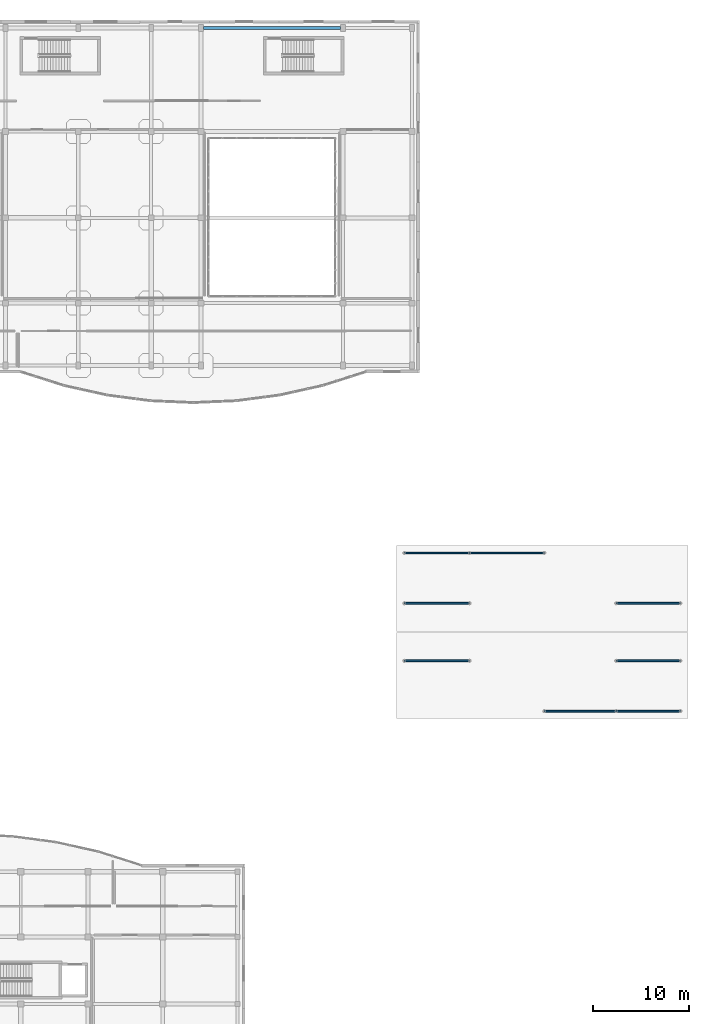
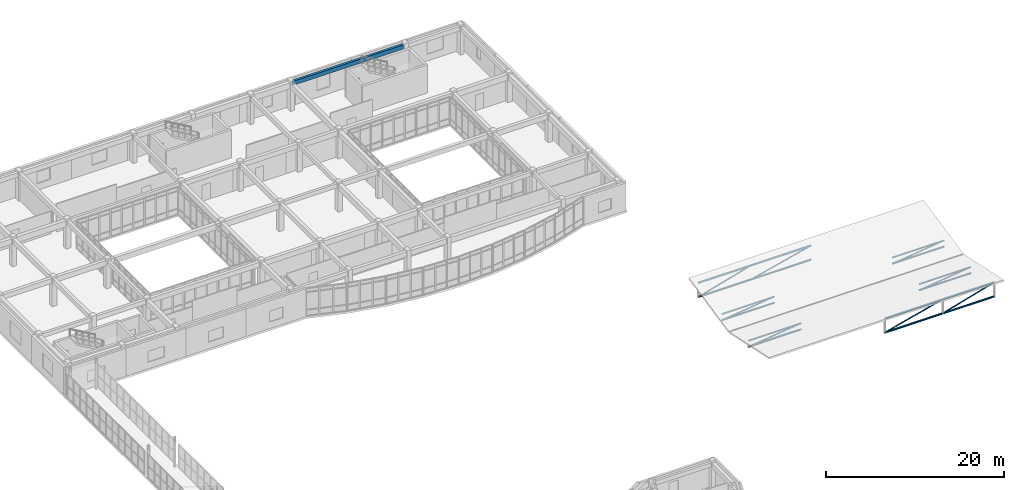
# One storey, part 108 of 146: 24 members, 1 beam.
"""IFC4 building model written with IfcOpenShell, lengths in metres."""

from ifc_helpers import new_model, si_unit, direction, frame, origin, origin_2d, place, context, subcontext, project, spatial, rectangle, hollow_rectangle, hollow_circle, extrude, material, material_profile, profile_set, type_object, element, save


model = new_model("IFC4")

# Units and contexts
model_context = context("Model", 3, precision=1e-05, world=origin(), true_north=direction((0.0, 1.0)))
body_context = subcontext(model_context, "Body", "Model", "MODEL_VIEW")
ifc_project = project(units=[si_unit("LENGTHUNIT", "METRE"), si_unit("AREAUNIT", "SQUARE_METRE"), si_unit("VOLUMEUNIT", "CUBIC_METRE"), si_unit("PLANEANGLEUNIT", "RADIAN"), si_unit("MASSUNIT", "GRAM", prefix="KILO")], contexts=[model_context])

# Site, building, storey
site_placement = place(None, origin())
site = spatial("IfcSite", under=ifc_project, at=site_placement, CompositionType="ELEMENT")
building_placement = place(site_placement, origin())
building = spatial("IfcBuilding", under=site, at=building_placement, Name="Valcora Specialist Clinic", CompositionType="ELEMENT")
storey_placement = place(building_placement, frame((0.0, 0.0, 9.52001953125)))
storey = spatial("IfcBuildingStorey", under=building, at=storey_placement, Name="L02", CompositionType="ELEMENT", Elevation=9.52001953125)

# Beam
ifc_material_1 = material(Name="Concrete C40/50", Category="concrete")
ifc_material_profile_1 = material_profile(ifc_material_1, rectangle(XDim=0.300048828125, YDim=0.550048828125, at=origin_2d()), Name="RC-BM-300X550")
ifc_profile_set_1 = profile_set([ifc_material_profile_1], Name="Concrete C40/50")
beam_type = type_object("IfcBeamType", Name="TY-BM-RC300X550", PredefinedType="BEAM", material=ifc_profile_set_1)
beam_placement = place(storey_placement, frame((111.449951171875, 110.0, 3.544921875), z_axis=(1.0, 0.0, 0.0), x_axis=(0.0, 1.0, 0.0)))
element("IfcBeam", 1, at=beam_placement, inside=storey, type_object=beam_type, Name="Beam BM-L02-0733", PredefinedType="BEAM", context=body_context, shape_type="SweptSolid", body=[
    extrude(rectangle(XDim=0.300048828125, YDim=0.550048828125, at=origin_2d()), origin(), (0.0, 0.0, 1.0), 14.300048828125),
])

# Members
ifc_material_2 = material(Name="Steel ASTM A500 Grade C", Category="steel")
ifc_material_profile_2 = material_profile(ifc_material_2, hollow_circle(Radius=0.1220703125, WallThickness=0.010009765625, at=origin_2d()), Name="ST-CHS-244X10")
ifc_profile_set_2 = profile_set([ifc_material_profile_2], Name="Steel ASTM A500 Grade C")
member_type_1 = type_object("IfcMemberType", Name="TY-MB-GSC244", PredefinedType="CHORD", material=ifc_profile_set_2)
member_1_placement = place(storey_placement, frame((147.0, 38.75, 0.080078125), z_axis=(1.0, 0.0, 0.0), x_axis=(0.0, 1.0, 0.0)))
element("IfcMember", 2, at=member_1_placement, inside=storey, type_object=member_type_1, Name="Butterfly roof tie chord MB-L02-0762", PredefinedType="CHORD", context=body_context, shape_type="SweptSolid", body=[
    extrude(hollow_circle(Radius=0.1220703125, WallThickness=0.010009765625, at=origin_2d()), origin(), (0.0, 0.0, 1.0), 7.5),
])
member_2_placement = place(storey_placement, frame((154.5, 38.75, 0.080078125), z_axis=(1.0, 0.0, 0.0), x_axis=(0.0, 1.0, 0.0)))
element("IfcMember", 3, at=member_2_placement, inside=storey, type_object=member_type_1, Name="Butterfly roof tie chord MB-L02-0765", PredefinedType="CHORD", context=body_context, shape_type="SweptSolid", body=[
    extrude(hollow_circle(Radius=0.1220703125, WallThickness=0.010009765625, at=origin_2d()), origin(), (0.0, 0.0, 1.0), 6.699951171875),
])
member_3_placement = place(storey_placement, frame((132.39990234375, 44.0, 0.080078125), z_axis=(1.0, 0.0, 0.0), x_axis=(0.0, 1.0, 0.0)))
element("IfcMember", 4, at=member_3_placement, inside=storey, type_object=member_type_1, Name="Butterfly roof tie chord MB-L02-0768", PredefinedType="CHORD", context=body_context, shape_type="SweptSolid", body=[
    extrude(hollow_circle(Radius=0.1220703125, WallThickness=0.010009765625, at=origin_2d()), origin(), (0.0, 0.0, 1.0), 6.800048828125),
])
member_4_placement = place(storey_placement, frame((154.5, 44.0, 0.080078125), z_axis=(1.0, 0.0, 0.0), x_axis=(0.0, 1.0, 0.0)))
element("IfcMember", 5, at=member_4_placement, inside=storey, type_object=member_type_1, Name="Butterfly roof tie chord MB-L02-0771", PredefinedType="CHORD", context=body_context, shape_type="SweptSolid", body=[
    extrude(hollow_circle(Radius=0.1220703125, WallThickness=0.010009765625, at=origin_2d()), origin(), (0.0, 0.0, 1.0), 6.699951171875),
])
member_5_placement = place(storey_placement, frame((132.39990234375, 50.0, 0.080078125), z_axis=(1.0, 0.0, 0.0), x_axis=(0.0, 1.0, 0.0)))
element("IfcMember", 6, at=member_5_placement, inside=storey, type_object=member_type_1, Name="Butterfly roof tie chord MB-L02-0774", PredefinedType="CHORD", context=body_context, shape_type="SweptSolid", body=[
    extrude(hollow_circle(Radius=0.1220703125, WallThickness=0.010009765625, at=origin_2d()), origin(), (0.0, 0.0, 1.0), 6.800048828125),
])
member_6_placement = place(storey_placement, frame((154.5, 50.0, 0.080078125), z_axis=(1.0, 0.0, 0.0), x_axis=(0.0, 1.0, 0.0)))
element("IfcMember", 7, at=member_6_placement, inside=storey, type_object=member_type_1, Name="Butterfly roof tie chord MB-L02-0777", PredefinedType="CHORD", context=body_context, shape_type="SweptSolid", body=[
    extrude(hollow_circle(Radius=0.1220703125, WallThickness=0.010009765625, at=origin_2d()), origin(), (0.0, 0.0, 1.0), 6.699951171875),
])
member_7_placement = place(storey_placement, frame((132.39990234375, 55.25, 0.080078125), z_axis=(1.0, 0.0, 0.0), x_axis=(0.0, 1.0, 0.0)))
element("IfcMember", 8, at=member_7_placement, inside=storey, type_object=member_type_1, Name="Butterfly roof tie chord MB-L02-0780", PredefinedType="CHORD", context=body_context, shape_type="SweptSolid", body=[
    extrude(hollow_circle(Radius=0.1220703125, WallThickness=0.010009765625, at=origin_2d()), origin(), (0.0, 0.0, 1.0), 6.800048828125),
])
member_8_placement = place(storey_placement, frame((139.199951171875, 55.25, 0.080078125), z_axis=(1.0, 0.0, 0.0), x_axis=(0.0, 1.0, 0.0)))
element("IfcMember", 9, at=member_8_placement, inside=storey, type_object=member_type_1, Name="Butterfly roof tie chord MB-L02-0783", PredefinedType="CHORD", context=body_context, shape_type="SweptSolid", body=[
    extrude(hollow_circle(Radius=0.1220703125, WallThickness=0.010009765625, at=origin_2d()), origin(), (0.0, 0.0, 1.0), 7.800048828125),
])
ifc_material_profile_3 = material_profile(ifc_material_2, hollow_circle(Radius=0.083984375, WallThickness=0.008056640625, at=origin_2d()), Name="ST-CHS-168X8")
ifc_profile_set_3 = profile_set([ifc_material_profile_3], Name="Steel ASTM A500 Grade C")
member_type_2 = type_object("IfcMemberType", Name="TY-MB-GSD168", PredefinedType="BRACE", material=ifc_profile_set_3)
member_9_placement = place(storey_placement, frame((147.0, 38.75, 0.080078125), z_axis=(0.968594972907, 0.0, 0.248643878787), x_axis=(0.0, 1.0, 0.0)))
element("IfcMember", 10, at=member_9_placement, inside=storey, type_object=member_type_2, Name="Butterfly roof truss web MB-L02-0763", PredefinedType="BRACE", context=body_context, shape_type="SweptSolid", body=[
    extrude(hollow_circle(Radius=0.083984375, WallThickness=0.008056640625, at=origin_2d()), origin(), (0.0, 0.0, 1.0), 7.7431640625),
])
member_10_placement = place(storey_placement, frame((154.5, 38.75, 0.080078125), z_axis=(0.961105217361, 0.0, 0.276182478013), x_axis=(0.0, 1.0, 0.0)))
element("IfcMember", 11, at=member_10_placement, inside=storey, type_object=member_type_2, Name="Butterfly roof truss web MB-L02-0766", PredefinedType="BRACE", context=body_context, shape_type="SweptSolid", body=[
    extrude(hollow_circle(Radius=0.083984375, WallThickness=0.008056640625, at=origin_2d()), origin(), (0.0, 0.0, 1.0), 6.97119140625),
])
member_11_placement = place(storey_placement, frame((132.39990234375, 44.0, 0.080078125), z_axis=(0.992674574509, 0.0, 0.120818827688), x_axis=(0.0, 1.0, 0.0)))
element("IfcMember", 12, at=member_11_placement, inside=storey, type_object=member_type_2, Name="Butterfly roof truss web MB-L02-0769", PredefinedType="BRACE", context=body_context, shape_type="SweptSolid", body=[
    extrude(hollow_circle(Radius=0.083984375, WallThickness=0.008056640625, at=origin_2d()), origin(), (0.0, 0.0, 1.0), 6.850341796875),
])
member_12_placement = place(storey_placement, frame((154.5, 44.0, 0.080078125), z_axis=(0.992456543914, 0.0, 0.122596934878), x_axis=(0.0, 1.0, 0.0)))
element("IfcMember", 13, at=member_12_placement, inside=storey, type_object=member_type_2, Name="Butterfly roof truss web MB-L02-0772", PredefinedType="BRACE", context=body_context, shape_type="SweptSolid", body=[
    extrude(hollow_circle(Radius=0.083984375, WallThickness=0.008056640625, at=origin_2d()), origin(), (0.0, 0.0, 1.0), 6.7509765625),
])
member_13_placement = place(storey_placement, frame((132.39990234375, 50.0, 0.080078125), z_axis=(0.992674574509, 0.0, 0.120818827688), x_axis=(0.0, 1.0, 0.0)))
element("IfcMember", 14, at=member_13_placement, inside=storey, type_object=member_type_2, Name="Butterfly roof truss web MB-L02-0775", PredefinedType="BRACE", context=body_context, shape_type="SweptSolid", body=[
    extrude(hollow_circle(Radius=0.083984375, WallThickness=0.008056640625, at=origin_2d()), origin(), (0.0, 0.0, 1.0), 6.850341796875),
])
member_14_placement = place(storey_placement, frame((154.5, 50.0, 0.080078125), z_axis=(0.992456543914, 0.0, 0.122596934878), x_axis=(0.0, 1.0, 0.0)))
element("IfcMember", 15, at=member_14_placement, inside=storey, type_object=member_type_2, Name="Butterfly roof truss web MB-L02-0778", PredefinedType="BRACE", context=body_context, shape_type="SweptSolid", body=[
    extrude(hollow_circle(Radius=0.083984375, WallThickness=0.008056640625, at=origin_2d()), origin(), (0.0, 0.0, 1.0), 6.7509765625),
])
member_15_placement = place(storey_placement, frame((132.39990234375, 55.25, 0.080078125), z_axis=(0.962178202233, 0.0, 0.272420827301), x_axis=(0.0, 1.0, 0.0)))
element("IfcMember", 16, at=member_15_placement, inside=storey, type_object=member_type_2, Name="Butterfly roof truss web MB-L02-0781", PredefinedType="BRACE", context=body_context, shape_type="SweptSolid", body=[
    extrude(hollow_circle(Radius=0.083984375, WallThickness=0.008056640625, at=origin_2d()), origin(), (0.0, 0.0, 1.0), 7.0673828125),
])
member_16_placement = place(storey_placement, frame((139.199951171875, 55.25, 0.080078125), z_axis=(0.970862124674, 0.0, 0.239638759122), x_axis=(0.0, 1.0, 0.0)))
element("IfcMember", 17, at=member_16_placement, inside=storey, type_object=member_type_2, Name="Butterfly roof truss web MB-L02-0784", PredefinedType="BRACE", context=body_context, shape_type="SweptSolid", body=[
    extrude(hollow_circle(Radius=0.083984375, WallThickness=0.008056640625, at=origin_2d()), origin(), (0.0, 0.0, 1.0), 8.0341796875),
])
ifc_material_profile_4 = material_profile(ifc_material_2, hollow_rectangle(XDim=0.14990234375, YDim=0.14990234375, WallThickness=0.006103515625, at=origin_2d()), Name="ST-RHS-150X150X6")
ifc_profile_set_4 = profile_set([ifc_material_profile_4], Name="Steel ASTM A500 Grade C")
member_type_3 = type_object("IfcMemberType", Name="TY-MB-PR150", PredefinedType="PURLIN", material=ifc_profile_set_4)
member_17_placement = place(storey_placement, frame((132.39990234375, 44.0, 0.90771484375), z_axis=(1.0, 0.0, 0.0), x_axis=(0.0, 1.0, 0.0)))
element("IfcMember", 18, at=member_17_placement, inside=storey, type_object=member_type_3, Name="Butterfly roof purlin MB-L02-0767", PredefinedType="PURLIN", context=body_context, shape_type="SweptSolid", body=[
    extrude(hollow_rectangle(XDim=0.14990234375, YDim=0.14990234375, WallThickness=0.006103515625, at=origin_2d()), origin(), (0.0, 0.0, 1.0), 6.800048828125),
])
member_18_placement = place(storey_placement, frame((154.5, 44.0, 0.90771484375), z_axis=(1.0, 0.0, 0.0), x_axis=(0.0, 1.0, 0.0)))
element("IfcMember", 19, at=member_18_placement, inside=storey, type_object=member_type_3, Name="Butterfly roof purlin MB-L02-0770", PredefinedType="PURLIN", context=body_context, shape_type="SweptSolid", body=[
    extrude(hollow_rectangle(XDim=0.14990234375, YDim=0.14990234375, WallThickness=0.006103515625, at=origin_2d()), origin(), (0.0, 0.0, 1.0), 6.699951171875),
])
member_19_placement = place(storey_placement, frame((132.39990234375, 50.0, 0.90771484375), z_axis=(1.0, 0.0, 0.0), x_axis=(0.0, 1.0, 0.0)))
element("IfcMember", 20, at=member_19_placement, inside=storey, type_object=member_type_3, Name="Butterfly roof purlin MB-L02-0773", PredefinedType="PURLIN", context=body_context, shape_type="SweptSolid", body=[
    extrude(hollow_rectangle(XDim=0.14990234375, YDim=0.14990234375, WallThickness=0.006103515625, at=origin_2d()), origin(), (0.0, 0.0, 1.0), 6.800048828125),
])
member_20_placement = place(storey_placement, frame((154.5, 50.0, 0.90771484375), z_axis=(1.0, 0.0, 0.0), x_axis=(0.0, 1.0, 0.0)))
element("IfcMember", 21, at=member_20_placement, inside=storey, type_object=member_type_3, Name="Butterfly roof purlin MB-L02-0776", PredefinedType="PURLIN", context=body_context, shape_type="SweptSolid", body=[
    extrude(hollow_rectangle(XDim=0.14990234375, YDim=0.14990234375, WallThickness=0.006103515625, at=origin_2d()), origin(), (0.0, 0.0, 1.0), 6.699951171875),
])
ifc_material_profile_5 = material_profile(ifc_material_2, hollow_rectangle(XDim=0.179931640625, YDim=0.179931640625, WallThickness=0.008056640625, at=origin_2d()), Name="ST-RHS-180X180X8")
ifc_profile_set_5 = profile_set([ifc_material_profile_5], Name="Steel ASTM A500 Grade C")
member_type_4 = type_object("IfcMemberType", Name="TY-MB-PR180", PredefinedType="PURLIN", material=ifc_profile_set_5)
member_21_placement = place(storey_placement, frame((147.0, 38.75, 2.00537109375), z_axis=(1.0, 0.0, 0.0), x_axis=(0.0, 1.0, 0.0)))
element("IfcMember", 22, at=member_21_placement, inside=storey, type_object=member_type_4, Name="Butterfly roof purlin MB-L02-0761", PredefinedType="PURLIN", context=body_context, shape_type="SweptSolid", body=[
    extrude(hollow_rectangle(XDim=0.179931640625, YDim=0.179931640625, WallThickness=0.008056640625, at=origin_2d()), origin(), (0.0, 0.0, 1.0), 7.5),
])
member_22_placement = place(storey_placement, frame((154.5, 38.75, 2.00537109375), z_axis=(1.0, 0.0, 0.0), x_axis=(0.0, 1.0, 0.0)))
element("IfcMember", 23, at=member_22_placement, inside=storey, type_object=member_type_4, Name="Butterfly roof purlin MB-L02-0764", PredefinedType="PURLIN", context=body_context, shape_type="SweptSolid", body=[
    extrude(hollow_rectangle(XDim=0.179931640625, YDim=0.179931640625, WallThickness=0.008056640625, at=origin_2d()), origin(), (0.0, 0.0, 1.0), 6.699951171875),
])
member_23_placement = place(storey_placement, frame((132.39990234375, 55.25, 2.00537109375), z_axis=(1.0, 0.0, 0.0), x_axis=(0.0, 1.0, 0.0)))
element("IfcMember", 24, at=member_23_placement, inside=storey, type_object=member_type_4, Name="Butterfly roof purlin MB-L02-0779", PredefinedType="PURLIN", context=body_context, shape_type="SweptSolid", body=[
    extrude(hollow_rectangle(XDim=0.179931640625, YDim=0.179931640625, WallThickness=0.008056640625, at=origin_2d()), origin(), (0.0, 0.0, 1.0), 6.800048828125),
])
member_24_placement = place(storey_placement, frame((139.199951171875, 55.25, 2.00537109375), z_axis=(1.0, 0.0, 0.0), x_axis=(0.0, 1.0, 0.0)))
element("IfcMember", 25, at=member_24_placement, inside=storey, type_object=member_type_4, Name="Butterfly roof purlin MB-L02-0782", PredefinedType="PURLIN", context=body_context, shape_type="SweptSolid", body=[
    extrude(hollow_rectangle(XDim=0.179931640625, YDim=0.179931640625, WallThickness=0.008056640625, at=origin_2d()), origin(), (0.0, 0.0, 1.0), 7.800048828125),
])

save(model, "model.ifc")
